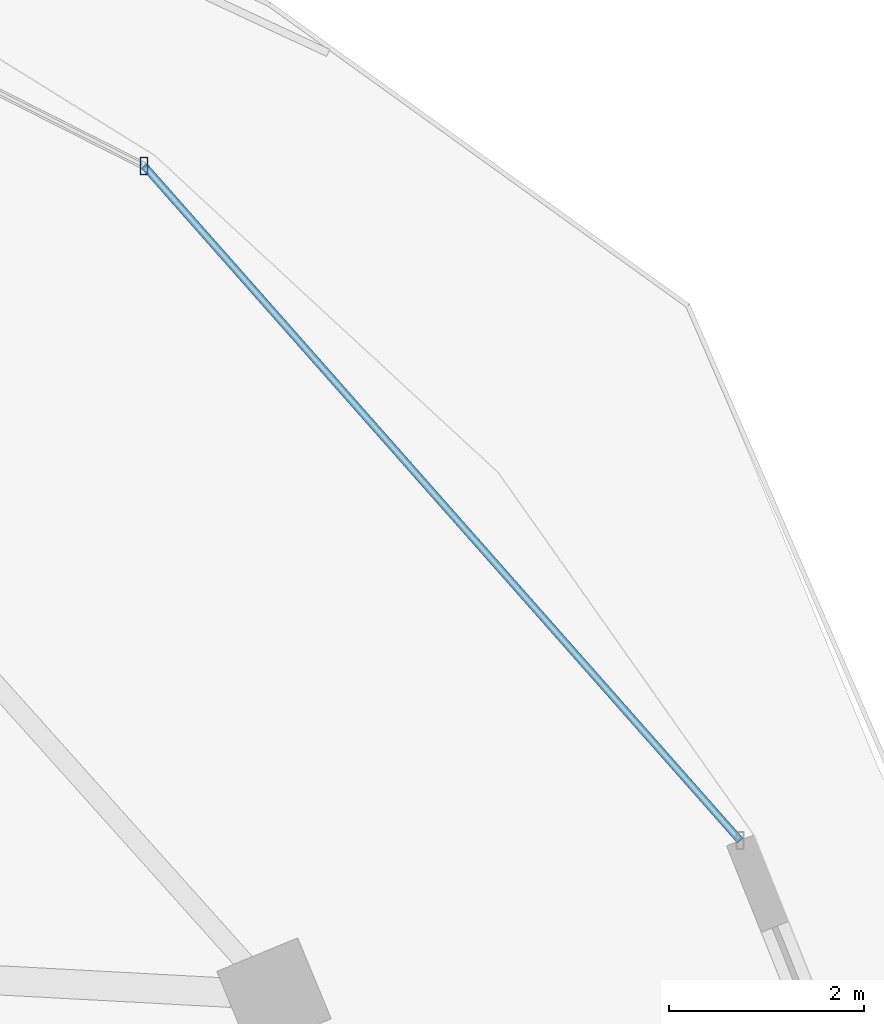
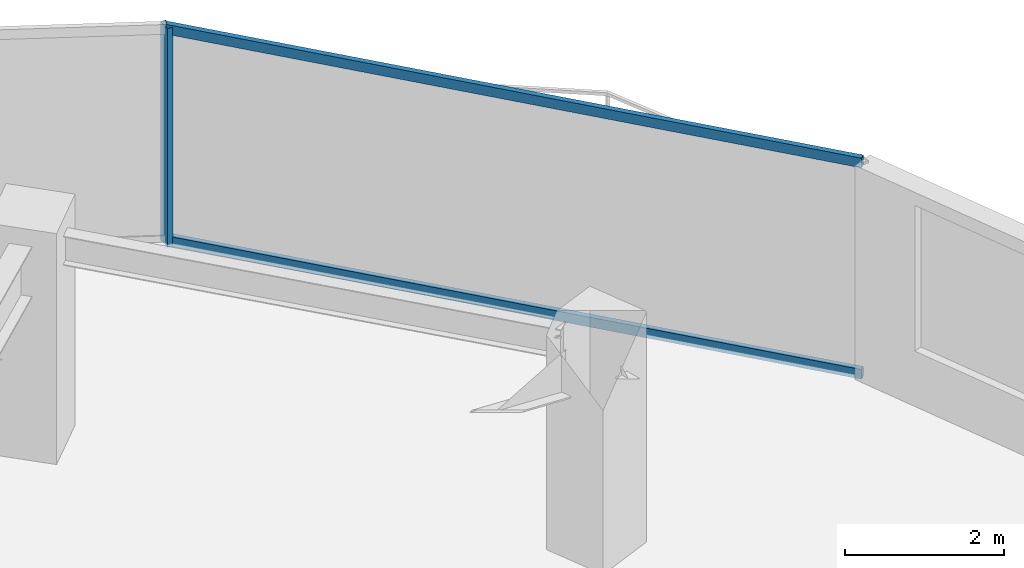
# One storey, part 21 of 32: 3 members, 1 element without a shape of its own.
"""IFC4 building model written with IfcOpenShell, lengths in metres."""

from ifc_helpers import new_model, si_unit, direction, frame, origin, origin_2d, place, context, subcontext, project, spatial, hollow_rectangle, extrude, material, material_profile, profile_set, type_object, element, aggregate, save


model = new_model("IFC4")

# Units and contexts
model_context = context("Model", 3, precision=1e-05, world=origin(), true_north=direction((0.0, 1.0)))
body_context = subcontext(model_context, "Body", "Model", "MODEL_VIEW")
ifc_project = project(units=[si_unit("LENGTHUNIT", "METRE"), si_unit("AREAUNIT", "SQUARE_METRE"), si_unit("VOLUMEUNIT", "CUBIC_METRE"), si_unit("PLANEANGLEUNIT", "RADIAN"), si_unit("MASSUNIT", "GRAM", prefix="KILO")], contexts=[model_context])

# Site, building, storey
site_placement = place(None, origin())
site = spatial("IfcSite", under=ifc_project, at=site_placement, CompositionType="ELEMENT")
building_placement = place(site_placement, origin())
building = spatial("IfcBuilding", under=site, at=building_placement, Name="Vorneva Point Tower", CompositionType="ELEMENT")
storey_placement = place(building_placement, frame((0.0, 0.0, 207.199951171875)))
storey = spatial("IfcBuildingStorey", under=building, at=storey_placement, Name="L56", CompositionType="ELEMENT", Elevation=207.199951171875)

# Curtain wall, members
ifc_material = material(Name="Pale anodised aluminium", Category="aluminium")
curtain_wall_type = type_object("IfcCurtainWallType", Name="CW-RES-SYS", PredefinedType="NOTDEFINED", material=ifc_material)
curtain_wall_placement = place(storey_placement, origin())
curtain_wall = element("IfcCurtainWall", 1, at=curtain_wall_placement, inside=storey, type_object=curtain_wall_type, Name="L56 Unitised Curtain Wall CW-L56-R01", PredefinedType="NOTDEFINED")
ifc_material_profile_1 = material_profile(ifc_material, hollow_rectangle(XDim=0.074951171875, YDim=0.179931640625, WallThickness=0.00390625, at=origin_2d()), Name="AL-MUL 180x75x4")
ifc_profile_set_1 = profile_set([ifc_material_profile_1], Name="Pale anodised aluminium")
member_type_1 = type_object("IfcMemberType", Name="CW-MUL-180", PredefinedType="MULLION", material=ifc_profile_set_1)
member_1_placement = place(storey_placement, frame((57.961669921875, 41.0966796875, -0.0400390625), z_axis=(0.0, 0.0, 1.0), x_axis=(1.0, 0.0, 0.0)))
member_1 = element("IfcMember", 2, at=member_1_placement, type_object=member_type_1, Name="CW-L56-R01 Mullion 02", PredefinedType="MULLION", context=body_context, shape_type="SweptSolid", body=[
    extrude(hollow_rectangle(XDim=0.074951171875, YDim=0.179931640625, WallThickness=0.00390625, at=origin_2d()), origin(), (0.0, 0.0, 1.0), 3.360107421875),
])
ifc_material_profile_2 = material_profile(ifc_material, hollow_rectangle(XDim=0.074951171875, YDim=0.14990234375, WallThickness=0.00390625, at=origin_2d()), Name="AL-TRN 150x75x4")
ifc_profile_set_2 = profile_set([ifc_material_profile_2], Name="Pale anodised aluminium")
member_type_2 = type_object("IfcMemberType", Name="CW-TRN-150", PredefinedType="USERDEFINED", material=ifc_profile_set_2)
member_2_placement = place(storey_placement, frame((64.0810546875, 34.17041015625, 0.02001953125), z_axis=(-0.662106383869, 0.749409858782, 0.0), x_axis=(-0.749409858782, -0.662106383869, 0.0)))
member_2 = element("IfcMember", 3, at=member_2_placement, type_object=member_type_2, Name="CW-L56-R01 Transom 01.1", ObjectType="TRANSOM", PredefinedType="USERDEFINED", context=body_context, shape_type="SweptSolid", body=[
    extrude(hollow_rectangle(XDim=0.074951171875, YDim=0.14990234375, WallThickness=0.00390625, at=origin_2d()), origin(), (0.0, 0.0, 1.0), 9.2421875),
])
member_3_placement = place(storey_placement, frame((64.0810546875, 34.17041015625, 3.27001953125), z_axis=(-0.662106383869, 0.749409858782, 0.0), x_axis=(-0.749409858782, -0.662106383869, 0.0)))
member_3 = element("IfcMember", 4, at=member_3_placement, type_object=member_type_2, Name="CW-L56-R01 Transom 01.2", ObjectType="TRANSOM", PredefinedType="USERDEFINED", context=body_context, shape_type="SweptSolid", body=[
    extrude(hollow_rectangle(XDim=0.074951171875, YDim=0.14990234375, WallThickness=0.00390625, at=origin_2d()), origin(), (0.0, 0.0, 1.0), 9.2421875),
])
aggregate(curtain_wall, [member_1, member_2, member_3])

save(model, "model.ifc")
